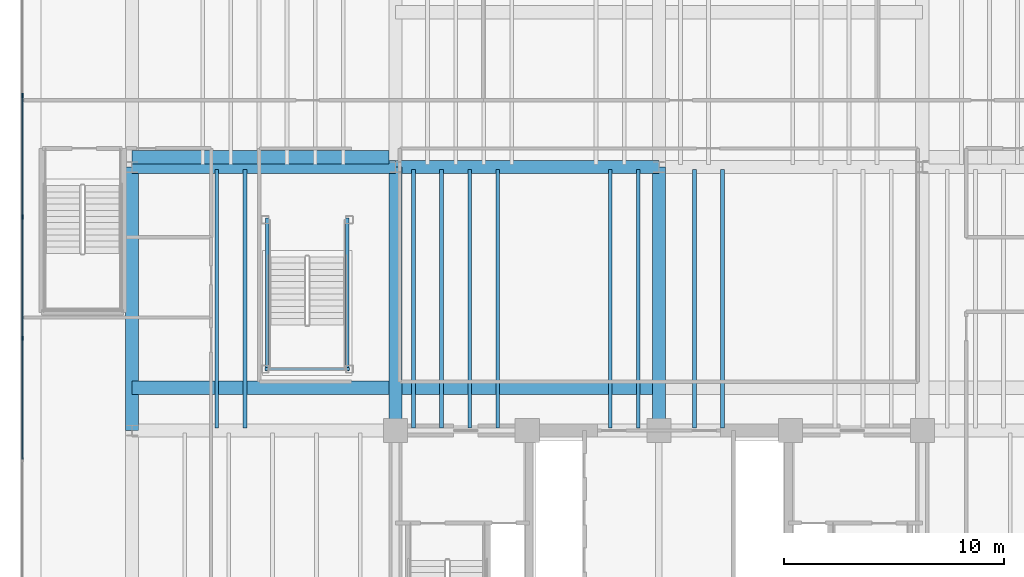
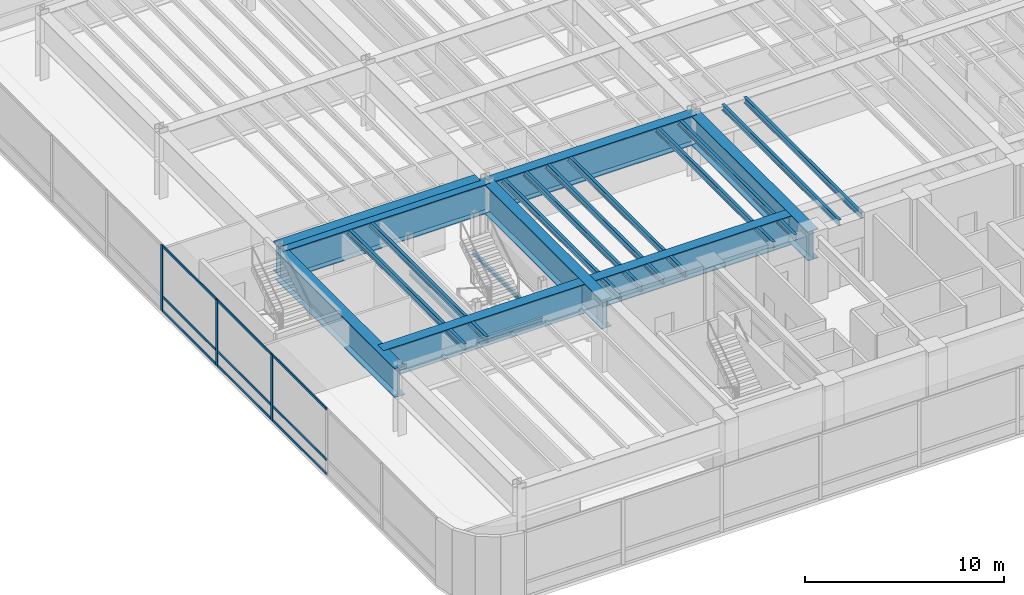
# One storey, part 5 of 19: 21 beams, 12 members, 1 element without a shape of its own.
"""IFC4 building model written with IfcOpenShell, lengths in metres."""

from ifc_helpers import new_model, si_unit, direction, frame, origin, origin_2d, place, context, subcontext, project, spatial, rectangle, i_section, extrude, source, transform, mapped, material, layer, layer_set, material_profile, profile_set, type_object, element, aggregate, save


model = new_model("IFC4")

# Units and contexts
model_context = context("Model", 3, precision=1e-05, world=origin(), true_north=direction((0.0, 1.0)))
body_context = subcontext(model_context, "Body", "Model", "MODEL_VIEW")
ifc_project = project(units=[si_unit("LENGTHUNIT", "METRE"), si_unit("AREAUNIT", "SQUARE_METRE"), si_unit("VOLUMEUNIT", "CUBIC_METRE"), si_unit("PLANEANGLEUNIT", "RADIAN"), si_unit("MASSUNIT", "GRAM", prefix="KILO")], contexts=[model_context])

# Site, building, storey
site_placement = place(None, origin())
site = spatial("IfcSite", under=ifc_project, at=site_placement, CompositionType="ELEMENT")
building_placement = place(site_placement, origin())
building = spatial("IfcBuilding", under=site, at=building_placement, Name="Brelvock Crest Care Tower", CompositionType="ELEMENT")
storey_placement = place(building_placement, frame((0.0, 0.0, 18.360107421875)))
storey = spatial("IfcBuildingStorey", under=building, at=storey_placement, Name="L04", CompositionType="ELEMENT", Elevation=18.360107421875)

# Beams
ifc_material_1 = material(Name="Steel Grade 350", Category="steel")
ifc_material_profile_1 = material_profile(ifc_material_1, i_section(OverallWidth=0.172119140625, OverallDepth=0.35888671875, WebThickness=0.008056640625, FlangeThickness=0.012939453125, FilletRadius=0.011474609375, at=origin_2d()), Name="360UB56.7")
ifc_profile_set_1 = profile_set([ifc_material_profile_1], Name="Steel Grade 350")
beam_type_1 = type_object("IfcBeamType", Name="BM-J1", PredefinedType="JOIST", material=ifc_profile_set_1)
shared_shape_1 = source(origin(), body_context, "Body", "SweptSolid", [
    extrude(i_section(OverallWidth=0.172119140625, OverallDepth=0.35888671875, WebThickness=0.008056640625, FlangeThickness=0.012939453125, FilletRadius=0.011474609375, at=origin_2d()), origin(), (0.0, 0.0, 1.0), 11.77001953125),
])
for number, where, z_axis, x_axis, name in (
    (1, (15.860107421875, 18.114990234375, 3.8603515625), (0.0, 1.0, 0.0), (-1.0, 0.0, 0.0), "BM-PODJ-L04-1586-18"),
    (2, (17.139892578125, 18.114990234375, 3.8603515625), (0.0, 1.0, 0.0), (-1.0, 0.0, 0.0), "BM-PODJ-L04-1714-18"),
    (3, (24.820068359375, 18.114990234375, 3.8603515625), (0.0, 1.0, 0.0), (-1.0, 0.0, 0.0), "BM-PODJ-L04-2482-18"),
    (4, (26.10009765625, 18.114990234375, 3.8603515625), (0.0, 1.0, 0.0), (-1.0, 0.0, 0.0), "BM-PODJ-L04-2610-18"),
    (5, (27.3798828125, 18.114990234375, 3.8603515625), (0.0, 1.0, 0.0), (-1.0, 0.0, 0.0), "BM-PODJ-L04-2738-18"),
    (6, (28.659912109375, 18.114990234375, 3.8603515625), (0.0, 1.0, 0.0), (-1.0, 0.0, 0.0), "BM-PODJ-L04-2866-18"),
    (7, (33.780029296875, 18.114990234375, 3.8603515625), (0.0, 1.0, 0.0), (-1.0, 0.0, 0.0), "BM-PODJ-L04-3378-18"),
    (8, (35.06005859375, 18.114990234375, 3.8603515625), (0.0, 1.0, 0.0), (-1.0, 0.0, 0.0), "BM-PODJ-L04-3506-18"),
    (9, (37.6201171875, 18.114990234375, 3.8603515625), (0.0, 1.0, 0.0), (-1.0, 0.0, 0.0), "BM-PODJ-L04-3762-18"),
    (10, (38.89990234375, 18.114990234375, 3.8603515625), (0.0, 1.0, 0.0), (-1.0, 0.0, 0.0), "BM-PODJ-L04-3890-18"),
):
    element("IfcBeam", number, at=place(storey_placement, frame(where, z_axis=z_axis, x_axis=x_axis)), inside=storey, type_object=beam_type_1, Name=name, PredefinedType="JOIST", context=body_context, shape_type="MappedRepresentation", body=[
        mapped(shared_shape_1, transform((0.0, 0.0, 0.0), x_axis=(1.0, 0.0, 0.0), y_axis=(0.0, 1.0, 0.0), z_axis=(0.0, 0.0, 1.0), scale=1.0)),
    ])
ifc_material_profile_2 = material_profile(ifc_material_1, i_section(OverallWidth=0.14599609375, OverallDepth=0.256103515625, WebThickness=0.00634765625, FlangeThickness=0.010986328125, FilletRadius=0.0087890625, at=origin_2d()), Name="250UB37.3")
ifc_profile_set_2 = profile_set([ifc_material_profile_2], Name="Steel Grade 350")
beam_type_2 = type_object("IfcBeamType", Name="BM-J3", PredefinedType="JOIST", material=ifc_profile_set_2)
shared_shape_2 = source(origin(), body_context, "Body", "SweptSolid", [
    extrude(i_section(OverallWidth=0.14599609375, OverallDepth=0.256103515625, WebThickness=0.00634765625, FlangeThickness=0.010986328125, FilletRadius=0.0087890625, at=origin_2d()), origin(), (0.0, 0.0, 1.0), 3.83984375),
])
beam_1_placement = place(storey_placement, frame((18.06005859375, 20.800048828125, 1.831787109375), z_axis=(1.0, 0.0, 0.0), x_axis=(0.0, 1.0, 0.0)))
element("IfcBeam", 11, at=beam_1_placement, inside=storey, type_object=beam_type_2, Name="BM-ST5L-L04-1-H", PredefinedType="JOIST", context=body_context, shape_type="MappedRepresentation", body=[
    mapped(shared_shape_2, transform((0.0, 0.0, 0.0), x_axis=(1.0, 0.0, 0.0), y_axis=(0.0, 1.0, 0.0), z_axis=(0.0, 0.0, 1.0), scale=1.0)),
])
shared_shape_3 = source(origin(), body_context, "Body", "SweptSolid", [
    extrude(i_section(OverallWidth=0.14599609375, OverallDepth=0.256103515625, WebThickness=0.00634765625, FlangeThickness=0.010986328125, FilletRadius=0.0087890625, at=origin_2d()), origin(), (0.0, 0.0, 1.0), 6.9599609375),
])
for number, where, z_axis, x_axis, name in (
    (12, (18.159912109375, 20.719970703125, 1.831787109375), (0.0, 1.0, 0.0), (-1.0, 0.0, 0.0), "BM-ST5L-L04-1-W"),
    (13, (21.800048828125, 20.719970703125, 1.831787109375), (0.0, 1.0, 0.0), (-1.0, 0.0, 0.0), "BM-ST5L-L04-1-E"),
):
    element("IfcBeam", number, at=place(storey_placement, frame(where, z_axis=z_axis, x_axis=x_axis)), inside=storey, type_object=beam_type_2, Name=name, PredefinedType="JOIST", context=body_context, shape_type="MappedRepresentation", body=[
        mapped(shared_shape_3, transform((0.0, 0.0, 0.0), x_axis=(1.0, 0.0, 0.0), y_axis=(0.0, 1.0, 0.0), z_axis=(0.0, 0.0, 1.0), scale=1.0)),
    ])
ifc_material_profile_3 = material_profile(ifc_material_1, i_section(OverallWidth=0.60009765625, OverallDepth=1.800048828125, WebThickness=0.028076171875, FlangeThickness=0.052001953125, at=origin_2d()), Name="1800TG740")
ifc_profile_set_3 = profile_set([ifc_material_profile_3], Name="Steel Grade 350")
beam_type_3 = type_object("IfcBeamType", Name="BM-TG1", PredefinedType="USERDEFINED", material=ifc_profile_set_3)
shared_shape_4 = source(origin(), body_context, "Body", "SweptSolid", [
    extrude(i_section(OverallWidth=0.60009765625, OverallDepth=1.800048828125, WebThickness=0.028076171875, FlangeThickness=0.052001953125, at=origin_2d()), origin(), (0.0, 0.0, 1.0), 12.0),
])
for number, where, z_axis, x_axis, name in (
    (14, (12.0, 30.0, 3.139892578125), (1.0, 0.0, 0.0), (0.0, 1.0, 0.0), "BM-PODX-L04-30-12"),
    (15, (24.0, 30.0, 3.139892578125), (1.0, 0.0, 0.0), (0.0, 1.0, 0.0), "BM-PODX-L04-30-24"),
    (16, (12.0, 18.0, 3.139892578125), (0.0, 1.0, 0.0), (-1.0, 0.0, 0.0), "BM-PODY-L04-12-18"),
    (17, (24.0, 18.0, 3.139892578125), (0.0, 1.0, 0.0), (-1.0, 0.0, 0.0), "BM-PODY-L04-24-18"),
    (18, (36.0, 18.0, 3.139892578125), (0.0, 1.0, 0.0), (-1.0, 0.0, 0.0), "BM-PODY-L04-36-18"),
):
    element("IfcBeam", number, at=place(storey_placement, frame(where, z_axis=z_axis, x_axis=x_axis)), inside=storey, type_object=beam_type_3, Name=name, ObjectType="GIRDER", PredefinedType="USERDEFINED", context=body_context, shape_type="MappedRepresentation", body=[
        mapped(shared_shape_4, transform((0.0, 0.0, 0.0), x_axis=(1.0, 0.0, 0.0), y_axis=(0.0, 1.0, 0.0), z_axis=(0.0, 0.0, 1.0), scale=1.0)),
    ])
shared_shape_5 = source(origin(), body_context, "Body", "SweptSolid", [
    extrude(i_section(OverallWidth=0.60009765625, OverallDepth=1.800048828125, WebThickness=0.028076171875, FlangeThickness=0.052001953125, at=origin_2d()), origin(), (0.0, 0.0, 1.0), 11.699951171875),
])
for number, where, z_axis, x_axis, name in (
    (19, (12.0, 19.949951171875, 3.139892578125), (1.0, 0.0, 0.0), (0.0, 1.0, 0.0), "BM-TG04-Y20-1"),
    (20, (12.0, 30.449951171875, 3.139892578125), (1.0, 0.0, 0.0), (0.0, 1.0, 0.0), "BM-TG04-Y30-W"),
):
    element("IfcBeam", number, at=place(storey_placement, frame(where, z_axis=z_axis, x_axis=x_axis)), inside=storey, type_object=beam_type_3, Name=name, ObjectType="GIRDER", PredefinedType="USERDEFINED", context=body_context, shape_type="MappedRepresentation", body=[
        mapped(shared_shape_5, transform((0.0, 0.0, 0.0), x_axis=(1.0, 0.0, 0.0), y_axis=(0.0, 1.0, 0.0), z_axis=(0.0, 0.0, 1.0), scale=1.0)),
    ])
shared_shape_6 = source(origin(), body_context, "Body", "SweptSolid", [
    extrude(i_section(OverallWidth=0.60009765625, OverallDepth=1.800048828125, WebThickness=0.028076171875, FlangeThickness=0.052001953125, at=origin_2d()), origin(), (0.0, 0.0, 1.0), 11.39990234375),
])
beam_2_placement = place(storey_placement, frame((24.300048828125, 19.949951171875, 3.139892578125), z_axis=(1.0, 0.0, 0.0), x_axis=(0.0, 1.0, 0.0)))
element("IfcBeam", 21, at=beam_2_placement, inside=storey, type_object=beam_type_3, Name="BM-TG04-Y20-2", ObjectType="GIRDER", PredefinedType="USERDEFINED", context=body_context, shape_type="MappedRepresentation", body=[
    mapped(shared_shape_6, transform((0.0, 0.0, 0.0), x_axis=(1.0, 0.0, 0.0), y_axis=(0.0, 1.0, 0.0), z_axis=(0.0, 0.0, 1.0), scale=1.0)),
])

# Curtain wall, members
ifc_material_2 = material(Name="Dark Glass Double Glazed Low-E", Category="glass")
ifc_layer = layer(ifc_material_2, 0.179931640625, Name="CWS-1")
ifc_layer_set = layer_set([ifc_layer], Name="Dark Glass Double Glazed Low-E")
curtain_wall_type = type_object("IfcCurtainWallType", Name="CWS-1", PredefinedType="NOTDEFINED", material=ifc_layer_set)
curtain_wall_placement = place(storey_placement, origin())
curtain_wall = element("IfcCurtainWall", 22, at=curtain_wall_placement, inside=storey, type_object=curtain_wall_type, Name="L04 Curtain Wall E04", PredefinedType="NOTDEFINED")
ifc_material_3 = material(Name="Aluminium 6063-T6", Category="aluminium")
ifc_material_profile_4 = material_profile(ifc_material_3, rectangle(XDim=0.06494140625, YDim=0.14990234375, at=origin_2d()), Name="ALU65x150")
ifc_profile_set_4 = profile_set([ifc_material_profile_4], Name="Aluminium 6063-T6")
member_type_1 = type_object("IfcMemberType", Name="CWT-1", PredefinedType="USERDEFINED", material=ifc_profile_set_4)
shared_shape_7 = source(origin(), body_context, "Body", "SweptSolid", [
    extrude(rectangle(XDim=0.06494140625, YDim=0.14990234375, at=origin_2d()), origin(), (0.0, 0.0, 1.0), 5.468505859375),
])
member_1_placement = place(storey_placement, frame((7.0, 22.232421875, 0.032470703125), z_axis=(0.0, 1.0, 0.0), x_axis=(-1.0, 0.0, 0.0)))
member_1 = element("IfcMember", 23, at=member_1_placement, type_object=member_type_1, Name="CW-1 transom 4.1", ObjectType="TRANSOM", PredefinedType="USERDEFINED", context=body_context, shape_type="MappedRepresentation", body=[
    mapped(shared_shape_7, transform((0.0, 0.0, 0.0), x_axis=(1.0, 0.0, 0.0), y_axis=(0.0, 1.0, 0.0), z_axis=(0.0, 0.0, 1.0), scale=1.0)),
])
member_2_placement = place(storey_placement, frame((7.0, 22.232421875, 0.89990234375), z_axis=(0.0, 1.0, 0.0), x_axis=(-1.0, 0.0, 0.0)))
member_2 = element("IfcMember", 24, at=member_2_placement, type_object=member_type_1, Name="CW-1 transom 4.2", ObjectType="TRANSOM", PredefinedType="USERDEFINED", context=body_context, shape_type="MappedRepresentation", body=[
    mapped(shared_shape_7, transform((0.0, 0.0, 0.0), x_axis=(1.0, 0.0, 0.0), y_axis=(0.0, 1.0, 0.0), z_axis=(0.0, 0.0, 1.0), scale=1.0)),
])
member_3_placement = place(storey_placement, frame((7.0, 22.232421875, 4.00732421875), z_axis=(0.0, 1.0, 0.0), x_axis=(-1.0, 0.0, 0.0)))
member_3 = element("IfcMember", 25, at=member_3_placement, type_object=member_type_1, Name="CW-1 transom 4.3", ObjectType="TRANSOM", PredefinedType="USERDEFINED", context=body_context, shape_type="MappedRepresentation", body=[
    mapped(shared_shape_7, transform((0.0, 0.0, 0.0), x_axis=(1.0, 0.0, 0.0), y_axis=(0.0, 1.0, 0.0), z_axis=(0.0, 0.0, 1.0), scale=1.0)),
])
shared_shape_8 = source(origin(), body_context, "Body", "SweptSolid", [
    extrude(rectangle(XDim=0.06494140625, YDim=0.14990234375, at=origin_2d()), origin(), (0.0, 0.0, 1.0), 5.46826171875),
])
member_4_placement = place(storey_placement, frame((7.0, 16.69921875, 0.032470703125), z_axis=(0.0, 1.0, 0.0), x_axis=(-1.0, 0.0, 0.0)))
member_4 = element("IfcMember", 26, at=member_4_placement, type_object=member_type_1, Name="CW-1 transom 3.1", ObjectType="TRANSOM", PredefinedType="USERDEFINED", context=body_context, shape_type="MappedRepresentation", body=[
    mapped(shared_shape_8, transform((0.0, 0.0, 0.0), x_axis=(1.0, 0.0, 0.0), y_axis=(0.0, 1.0, 0.0), z_axis=(0.0, 0.0, 1.0), scale=1.0)),
])
member_5_placement = place(storey_placement, frame((7.0, 16.69921875, 0.89990234375), z_axis=(0.0, 1.0, 0.0), x_axis=(-1.0, 0.0, 0.0)))
member_5 = element("IfcMember", 27, at=member_5_placement, type_object=member_type_1, Name="CW-1 transom 3.2", ObjectType="TRANSOM", PredefinedType="USERDEFINED", context=body_context, shape_type="MappedRepresentation", body=[
    mapped(shared_shape_8, transform((0.0, 0.0, 0.0), x_axis=(1.0, 0.0, 0.0), y_axis=(0.0, 1.0, 0.0), z_axis=(0.0, 0.0, 1.0), scale=1.0)),
])
member_6_placement = place(storey_placement, frame((7.0, 16.69921875, 4.00732421875), z_axis=(0.0, 1.0, 0.0), x_axis=(-1.0, 0.0, 0.0)))
member_6 = element("IfcMember", 28, at=member_6_placement, type_object=member_type_1, Name="CW-1 transom 3.3", ObjectType="TRANSOM", PredefinedType="USERDEFINED", context=body_context, shape_type="MappedRepresentation", body=[
    mapped(shared_shape_8, transform((0.0, 0.0, 0.0), x_axis=(1.0, 0.0, 0.0), y_axis=(0.0, 1.0, 0.0), z_axis=(0.0, 0.0, 1.0), scale=1.0)),
])
member_7_placement = place(storey_placement, frame((7.0, 27.765869140625, 0.032470703125), z_axis=(0.0, 1.0, 0.0), x_axis=(-1.0, 0.0, 0.0)))
member_7 = element("IfcMember", 29, at=member_7_placement, type_object=member_type_1, Name="CW-1 transom 5.1", ObjectType="TRANSOM", PredefinedType="USERDEFINED", context=body_context, shape_type="MappedRepresentation", body=[
    mapped(shared_shape_8, transform((0.0, 0.0, 0.0), x_axis=(1.0, 0.0, 0.0), y_axis=(0.0, 1.0, 0.0), z_axis=(0.0, 0.0, 1.0), scale=1.0)),
])
member_8_placement = place(storey_placement, frame((7.0, 27.765869140625, 0.89990234375), z_axis=(0.0, 1.0, 0.0), x_axis=(-1.0, 0.0, 0.0)))
member_8 = element("IfcMember", 30, at=member_8_placement, type_object=member_type_1, Name="CW-1 transom 5.2", ObjectType="TRANSOM", PredefinedType="USERDEFINED", context=body_context, shape_type="MappedRepresentation", body=[
    mapped(shared_shape_8, transform((0.0, 0.0, 0.0), x_axis=(1.0, 0.0, 0.0), y_axis=(0.0, 1.0, 0.0), z_axis=(0.0, 0.0, 1.0), scale=1.0)),
])
member_9_placement = place(storey_placement, frame((7.0, 27.765869140625, 4.00732421875), z_axis=(0.0, 1.0, 0.0), x_axis=(-1.0, 0.0, 0.0)))
member_9 = element("IfcMember", 31, at=member_9_placement, type_object=member_type_1, Name="CW-1 transom 5.3", ObjectType="TRANSOM", PredefinedType="USERDEFINED", context=body_context, shape_type="MappedRepresentation", body=[
    mapped(shared_shape_8, transform((0.0, 0.0, 0.0), x_axis=(1.0, 0.0, 0.0), y_axis=(0.0, 1.0, 0.0), z_axis=(0.0, 0.0, 1.0), scale=1.0)),
])
ifc_material_profile_5 = material_profile(ifc_material_3, rectangle(XDim=0.06494140625, YDim=0.199951171875, at=origin_2d()), Name="ALU65x200")
ifc_profile_set_5 = profile_set([ifc_material_profile_5], Name="Aluminium 6063-T6")
member_type_2 = type_object("IfcMemberType", Name="CWM-1", PredefinedType="MULLION", material=ifc_profile_set_5)
shared_shape_9 = source(origin(), body_context, "Body", "SweptSolid", [
    extrude(rectangle(XDim=0.06494140625, YDim=0.199951171875, at=origin_2d()), origin(), (0.0, 0.0, 1.0), 4.039794921875),
])
member_10_placement = place(storey_placement, frame((7.0, 22.199951171875, 0.0), z_axis=(0.0, 0.0, 1.0), x_axis=(-1.0, 0.0, 0.0)))
member_10 = element("IfcMember", 32, at=member_10_placement, type_object=member_type_2, Name="CW-1 mullion 4", PredefinedType="MULLION", context=body_context, shape_type="MappedRepresentation", body=[
    mapped(shared_shape_9, transform((0.0, 0.0, 0.0), x_axis=(1.0, 0.0, 0.0), y_axis=(0.0, 1.0, 0.0), z_axis=(0.0, 0.0, 1.0), scale=1.0)),
])
member_11_placement = place(storey_placement, frame((7.0, 27.7333984375, 0.0), z_axis=(0.0, 0.0, 1.0), x_axis=(-1.0, 0.0, 0.0)))
member_11 = element("IfcMember", 33, at=member_11_placement, type_object=member_type_2, Name="CW-1 mullion 5", PredefinedType="MULLION", context=body_context, shape_type="MappedRepresentation", body=[
    mapped(shared_shape_9, transform((0.0, 0.0, 0.0), x_axis=(1.0, 0.0, 0.0), y_axis=(0.0, 1.0, 0.0), z_axis=(0.0, 0.0, 1.0), scale=1.0)),
])
member_12_placement = place(storey_placement, frame((7.0, 33.2666015625, 0.0), z_axis=(0.0, 0.0, 1.0), x_axis=(-1.0, 0.0, 0.0)))
member_12 = element("IfcMember", 34, at=member_12_placement, type_object=member_type_2, Name="CW-1 mullion 6", PredefinedType="MULLION", context=body_context, shape_type="MappedRepresentation", body=[
    mapped(shared_shape_9, transform((0.0, 0.0, 0.0), x_axis=(1.0, 0.0, 0.0), y_axis=(0.0, 1.0, 0.0), z_axis=(0.0, 0.0, 1.0), scale=1.0)),
])
aggregate(curtain_wall, [member_10, member_11, member_12, member_4, member_5, member_6, member_1, member_2, member_3, member_7, member_8, member_9])

save(model, "model.ifc")
